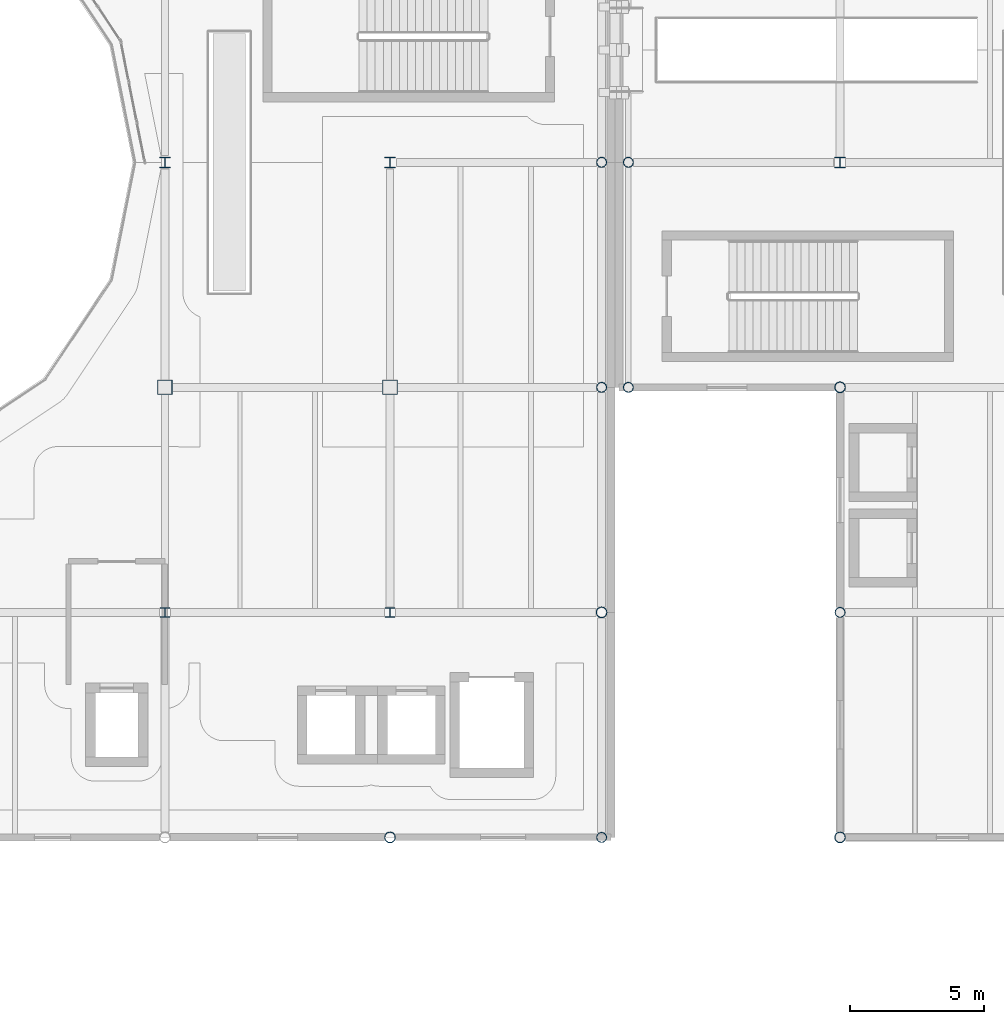
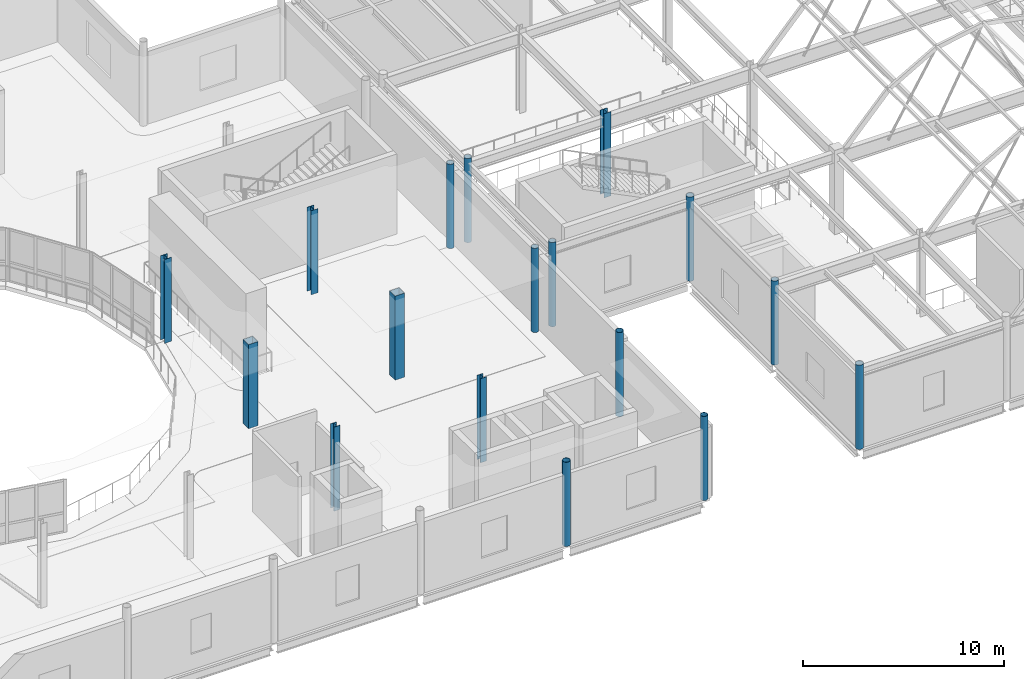
# One storey, part 2 of 103: 17 columns.
"""IFC4 building model written with IfcOpenShell, lengths in metres."""

from ifc_helpers import new_model, si_unit, direction, frame, origin, origin_2d, place, context, subcontext, project, spatial, hollow_rectangle, hollow_circle, i_section, extrude, material, material_profile, profile_set, type_object, element, save


model = new_model("IFC4")

# Units and contexts
model_context = context("Model", 3, precision=1e-05, world=origin(), true_north=direction((0.0, 1.0)))
body_context = subcontext(model_context, "Body", "Model", "MODEL_VIEW")
ifc_project = project(units=[si_unit("LENGTHUNIT", "METRE"), si_unit("AREAUNIT", "SQUARE_METRE"), si_unit("VOLUMEUNIT", "CUBIC_METRE"), si_unit("PLANEANGLEUNIT", "RADIAN"), si_unit("MASSUNIT", "GRAM", prefix="KILO"), si_unit("THERMODYNAMICTEMPERATUREUNIT", "KELVIN")], contexts=[model_context])

# Site, building, storey
site_placement = place(None, origin())
site = spatial("IfcSite", under=ifc_project, at=site_placement, CompositionType="ELEMENT")
building_placement = place(site_placement, origin())
building = spatial("IfcBuilding", under=site, at=building_placement, Name="Lustrewick Department Store", CompositionType="ELEMENT")
storey_placement = place(building_placement, frame((0.0, 0.0, 16.5)))
storey = spatial("IfcBuildingStorey", under=building, at=storey_placement, Name="L04", CompositionType="ELEMENT", Elevation=16.5)

# Columns
ifc_material_1 = material(Name="Structural steel Q355C", Category="steel")
ifc_material_profile_1 = material_profile(ifc_material_1, hollow_rectangle(XDim=0.550048828125, YDim=0.550048828125, WallThickness=0.02197265625, at=origin_2d()), Name="BOX 550x550x22")
ifc_profile_set_1 = profile_set([ifc_material_profile_1], Name="Structural steel Q355C")
column_type_1 = type_object("IfcColumnType", Name="C05", PredefinedType="COLUMN", material=ifc_profile_set_1)
for number, where, z_axis, x_axis, name in (
    (1, (42.0, 58.800048828125, 0.0), (0.0, 0.0, 1.0), (1.0, 0.0, 0.0), "L04 V1 Column C05"),
    (2, (50.39990234375, 58.800048828125, 0.0), (0.0, 0.0, 1.0), (1.0, 0.0, 0.0), "L04 V1 Column C05"),
):
    element("IfcColumn", number, at=place(storey_placement, frame(where, z_axis=z_axis, x_axis=x_axis)), inside=storey, type_object=column_type_1, Name=name, PredefinedType="COLUMN", context=body_context, shape_type="SweptSolid", body=[
        extrude(hollow_rectangle(XDim=0.550048828125, YDim=0.550048828125, WallThickness=0.02197265625, at=origin_2d()), origin(), (0.0, 0.0, 1.0), 5.10009765625),
    ])
ifc_material_2 = material(Name="Structural steel Q355B", Category="steel")
ifc_material_profile_2 = material_profile(ifc_material_2, i_section(OverallWidth=0.402099609375, OverallDepth=0.387939453125, WebThickness=0.014892578125, FlangeThickness=0.014892578125, FilletRadius=0.02197265625, at=origin_2d()), Name="HW 388x402x15x15")
ifc_profile_set_2 = profile_set([ifc_material_profile_2], Name="Structural steel Q355B")
column_type_2 = type_object("IfcColumnType", Name="C12", PredefinedType="COLUMN", material=ifc_profile_set_2)
for number, where, z_axis, x_axis, name in (
    (3, (42.0, 67.199951171875, 0.0), (0.0, 0.0, 1.0), (1.0, 0.0, 0.0), "L04 V1 Column C12"),
    (4, (50.39990234375, 67.199951171875, 0.0), (0.0, 0.0, 1.0), (1.0, 0.0, 0.0), "L04 V1 Column C12"),
    (5, (67.199951171875, 67.199951171875, 0.0), (0.0, 0.0, 1.0), (1.0, 0.0, 0.0), "L04 V2 Column C12"),
):
    element("IfcColumn", number, at=place(storey_placement, frame(where, z_axis=z_axis, x_axis=x_axis)), inside=storey, type_object=column_type_2, Name=name, PredefinedType="COLUMN", context=body_context, shape_type="SweptSolid", body=[
        extrude(i_section(OverallWidth=0.402099609375, OverallDepth=0.387939453125, WebThickness=0.014892578125, FlangeThickness=0.014892578125, FilletRadius=0.02197265625, at=origin_2d()), origin(), (0.0, 0.0, 1.0), 5.10009765625),
    ])
ifc_material_profile_3 = material_profile(ifc_material_2, i_section(OverallWidth=0.35009765625, OverallDepth=0.35009765625, WebThickness=0.011962890625, FlangeThickness=0.01904296875, FilletRadius=0.02001953125, at=origin_2d()), Name="HW 350x350x12x19")
ifc_profile_set_3 = profile_set([ifc_material_profile_3], Name="Structural steel Q355B")
column_type_3 = type_object("IfcColumnType", Name="C13", PredefinedType="COLUMN", material=ifc_profile_set_3)
for number, where, z_axis, x_axis, name in (
    (6, (42.0, 50.39990234375, 0.0), (0.0, 0.0, 1.0), (1.0, 0.0, 0.0), "L04 V1 Column C13"),
    (7, (50.39990234375, 50.39990234375, 0.0), (0.0, 0.0, 1.0), (1.0, 0.0, 0.0), "L04 V1 Column C13"),
):
    element("IfcColumn", number, at=place(storey_placement, frame(where, z_axis=z_axis, x_axis=x_axis)), inside=storey, type_object=column_type_3, Name=name, PredefinedType="COLUMN", context=body_context, shape_type="SweptSolid", body=[
        extrude(i_section(OverallWidth=0.35009765625, OverallDepth=0.35009765625, WebThickness=0.011962890625, FlangeThickness=0.01904296875, FilletRadius=0.02001953125, at=origin_2d()), origin(), (0.0, 0.0, 1.0), 5.10009765625),
    ])
ifc_material_profile_4 = material_profile(ifc_material_1, hollow_circle(Radius=0.202880859375, WallThickness=0.01611328125, at=origin_2d()), Name="CHS 406x16")
ifc_profile_set_4 = profile_set([ifc_material_profile_4], Name="Structural steel Q355C")
column_type_4 = type_object("IfcColumnType", Name="CE03", PredefinedType="COLUMN", material=ifc_profile_set_4)
for number, where, z_axis, x_axis, name in (
    (8, (50.39990234375, 42.0, 0.0), (0.0, 0.0, 1.0), (1.0, 0.0, 0.0), "L04 V1 Column CE03"),
    (9, (58.300048828125, 50.39990234375, 0.0), (0.0, 0.0, 1.0), (1.0, 0.0, 0.0), "L04 V1 Column CE03"),
    (10, (67.199951171875, 42.0, 0.0), (0.0, 0.0, 1.0), (1.0, 0.0, 0.0), "L04 V2 Column CE03"),
    (11, (67.199951171875, 58.800048828125, 0.0), (0.0, 0.0, 1.0), (1.0, 0.0, 0.0), "L04 V2 Column CE03"),
):
    element("IfcColumn", number, at=place(storey_placement, frame(where, z_axis=z_axis, x_axis=x_axis)), inside=storey, type_object=column_type_4, Name=name, PredefinedType="COLUMN", context=body_context, shape_type="SweptSolid", body=[
        extrude(hollow_circle(Radius=0.202880859375, WallThickness=0.01611328125, at=origin_2d()), origin(), (0.0, 0.0, 1.0), 5.10009765625),
    ])
ifc_material_profile_5 = material_profile(ifc_material_2, hollow_circle(Radius=0.1884765625, WallThickness=0.013916015625, at=origin_2d()), Name="CHS 377x14")
ifc_profile_set_5 = profile_set([ifc_material_profile_5], Name="Structural steel Q355B")
column_type_5 = type_object("IfcColumnType", Name="CE04", PredefinedType="COLUMN", material=ifc_profile_set_5)
for number, where, z_axis, x_axis, name in (
    (12, (58.300048828125, 42.0, 0.0), (0.0, 0.0, 1.0), (1.0, 0.0, 0.0), "L04 V1 Column CE04"),
    (13, (58.300048828125, 58.800048828125, 0.0), (0.0, 0.0, 1.0), (1.0, 0.0, 0.0), "L04 V1 Column CE04"),
    (14, (58.300048828125, 67.199951171875, 0.0), (0.0, 0.0, 1.0), (1.0, 0.0, 0.0), "L04 V1 Column CE04"),
    (15, (59.300048828125, 58.800048828125, 0.0), (0.0, 0.0, 1.0), (1.0, 0.0, 0.0), "L04 V2 Column CE04"),
    (16, (59.300048828125, 67.199951171875, 0.0), (0.0, 0.0, 1.0), (1.0, 0.0, 0.0), "L04 V2 Column CE04"),
    (17, (67.199951171875, 50.39990234375, 0.0), (0.0, 0.0, 1.0), (1.0, 0.0, 0.0), "L04 V2 Column CE04"),
):
    element("IfcColumn", number, at=place(storey_placement, frame(where, z_axis=z_axis, x_axis=x_axis)), inside=storey, type_object=column_type_5, Name=name, PredefinedType="COLUMN", context=body_context, shape_type="SweptSolid", body=[
        extrude(hollow_circle(Radius=0.1884765625, WallThickness=0.013916015625, at=origin_2d()), origin(), (0.0, 0.0, 1.0), 5.10009765625),
    ])

save(model, "model.ifc")
